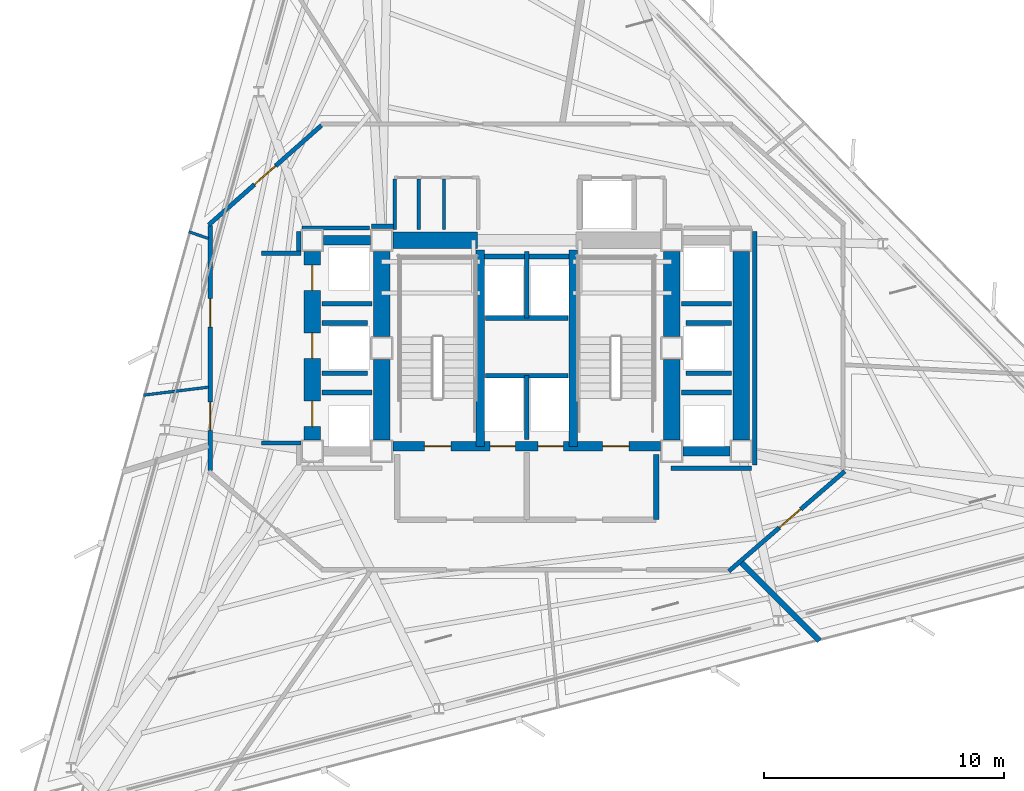
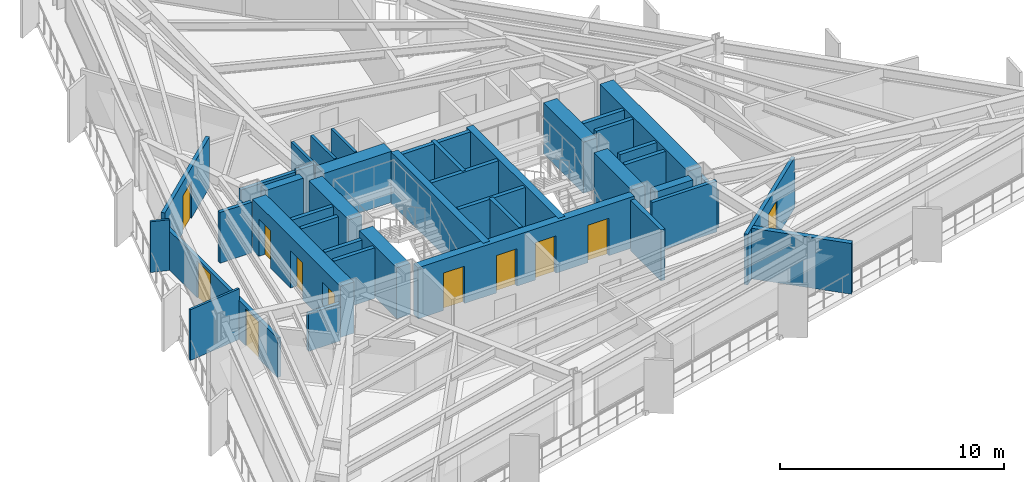
# One storey, part 7 of 11: 42 walls, 11 doors, 11 openings.
"""IFC4 building model written with IfcOpenShell, lengths in metres."""

from ifc_helpers import new_model, si_unit, direction, frame, frame_2d, origin, place, context, subcontext, project, spatial, rectangle, extrude, material, layer, layer_set, type_object, element, fill, save


model = new_model("IFC4")

# Units and contexts
model_context = context("Model", 3, precision=1e-05, world=origin(), true_north=direction((0.0, 1.0)))
body_context = subcontext(model_context, "Body", "Model", "MODEL_VIEW")
ifc_project = project(units=[si_unit("LENGTHUNIT", "METRE"), si_unit("AREAUNIT", "SQUARE_METRE"), si_unit("VOLUMEUNIT", "CUBIC_METRE"), si_unit("PLANEANGLEUNIT", "RADIAN"), si_unit("MASSUNIT", "GRAM", prefix="KILO")], contexts=[model_context])

# Site, building, storey
site_placement = place(None, origin())
site = spatial("IfcSite", under=ifc_project, at=site_placement, CompositionType="ELEMENT")
building_placement = place(site_placement, origin())
building = spatial("IfcBuilding", under=site, at=building_placement, Name="Rocaltana Carrier Exchange", CompositionType="ELEMENT")
storey_placement = place(building_placement, frame((0.0, 0.0, 91.679931640625)))
storey = spatial("IfcBuildingStorey", under=building, at=storey_placement, Name="L28", CompositionType="ELEMENT", Elevation=91.679931640625)

# Walls
ifc_material_1 = material(Name="Concrete C50/60", Category="concrete")
ifc_layer_1 = layer(ifc_material_1, 0.35009765625)
ifc_layer_set_1 = layer_set([ifc_layer_1], Name="Concrete C50/60")
wall_type_1 = type_object("IfcWallType", Name="Core Internal Shear Wall 350", PredefinedType="SHEAR", material=ifc_layer_set_1)
for number, where, z_axis, x_axis, name in (
    (1, (-1.93994140625, -4.10009765625, 0.0), (0.0, 0.0, 1.0), (0.0, 1.0, 0.0), "L28 Core Shear Wall CW-STW"),
    (2, (1.93994140625, -4.10009765625, 0.0), (0.0, 0.0, 1.0), (0.0, 1.0, 0.0), "L28 Core Shear Wall CW-STE"),
):
    element("IfcWall", number, at=place(storey_placement, frame(where, z_axis=z_axis, x_axis=x_axis)), inside=storey, type_object=wall_type_1, Name=name, PredefinedType="SHEAR", context=body_context, shape_type="SweptSolid", body=[
        extrude(rectangle(XDim=8.2001953125, YDim=0.35009765625, at=frame_2d((4.10009765625, 0.0))), origin(), (0.0, 0.0, 1.0), 2.7880859375),
    ])

# Wall, openings, doors
ifc_material_2 = material(Name="Concrete C50/60", Category="concrete")
ifc_layer_2 = layer(ifc_material_2, 0.39990234375)
ifc_layer_set_2 = layer_set([ifc_layer_2], Name="Concrete C50/60")
wall_type_2 = type_object("IfcWallType", Name="Core Internal Shear Wall 400", PredefinedType="SHEAR", material=ifc_layer_set_2)
wall_1_placement = place(storey_placement, frame((-5.574951171875, -4.10009765625, 0.0), z_axis=(0.0, 0.0, 1.0), x_axis=(1.0, 0.0, 0.0)))
wall_1 = element("IfcWall", 3, at=wall_1_placement, inside=storey, type_object=wall_type_2, Name="L28 Core Shear Wall CW-S", PredefinedType="SHEAR", context=body_context, shape_type="SweptSolid", body=[
    extrude(rectangle(XDim=11.14990234375, YDim=0.39990234375, at=frame_2d((5.574951171875, 0.0))), origin(), (0.0, 0.0, 1.0), 2.7880859375),
])
opening_1_placement = place(wall_1_placement, frame((1.304931640625, 0.0, 0.0)))
opening_1 = element("IfcOpeningElement", 4, at=opening_1_placement, cuts=wall_1, Name="Opening D-ST110", PredefinedType="OPENING", context=body_context, shape_type="SweptSolid", body=[
    extrude(rectangle(XDim=1.10009765625, YDim=2.0400390625, at=frame_2d((0.550048828125, 1.02001953125))), frame((0.0, 0.2099609375, 0.0), z_axis=(0.0, -1.0, 0.0), x_axis=(1.0, 0.0, 0.0)), (0.0, 0.0, 1.0), 0.419921875),
])
opening_2_placement = place(wall_1_placement, frame((8.7451171875, 0.0, 0.0)))
opening_2 = element("IfcOpeningElement", 5, at=opening_2_placement, cuts=wall_1, Name="Opening D-ST110", PredefinedType="OPENING", context=body_context, shape_type="SweptSolid", body=[
    extrude(rectangle(XDim=1.10009765625, YDim=2.0400390625, at=frame_2d((0.550048828125, 1.02001953125))), frame((0.0, 0.2099609375, 0.0), z_axis=(0.0, -1.0, 0.0), x_axis=(1.0, 0.0, 0.0)), (0.0, 0.0, 1.0), 0.419921875),
])
opening_3_placement = place(wall_1_placement, frame((4.044921875, 0.0, 0.0)))
opening_3 = element("IfcOpeningElement", 6, at=opening_3_placement, cuts=wall_1, Name="Opening LD-110", PredefinedType="OPENING", context=body_context, shape_type="SweptSolid", body=[
    extrude(rectangle(XDim=1.06005859375, YDim=2.0400390625, at=frame_2d((0.530029296875, 1.02001953125))), frame((0.0, 0.2099609375, 0.0), z_axis=(0.0, -1.0, 0.0), x_axis=(1.0, 0.0, 0.0)), (0.0, 0.0, 1.0), 0.419921875),
])
opening_4_placement = place(wall_1_placement, frame((6.044921875, 0.0, 0.0)))
opening_4 = element("IfcOpeningElement", 7, at=opening_4_placement, cuts=wall_1, Name="Opening LD-110", PredefinedType="OPENING", context=body_context, shape_type="SweptSolid", body=[
    extrude(rectangle(XDim=1.06005859375, YDim=2.0400390625, at=frame_2d((0.530029296875, 1.02001953125))), frame((0.0, 0.2099609375, 0.0), z_axis=(0.0, -1.0, 0.0), x_axis=(1.0, 0.0, 0.0)), (0.0, 0.0, 1.0), 0.419921875),
])
ifc_material_3 = material(Name="Hollow Metal Fire Door Assembly", Category="steel")
door_type_1 = type_object("IfcDoorType", Name="Exit Stair Fire Door 1100x2040 FD90S", OperationType="NOTDEFINED", PredefinedType="DOOR", material=ifc_material_3)
door_1_placement = place(opening_1_placement, origin())
door_1 = element("IfcDoor", 8, at=door_1_placement, inside=storey, type_object=door_type_1, Name="L28 Exit Stair ST1 Fire Door", OperationType="SINGLE_SWING_RIGHT", OverallHeight=2.0400390625, OverallWidth=1.10009765625, PredefinedType="DOOR", context=body_context, shape_type="SweptSolid", body=[
    extrude(rectangle(XDim=1.10009765625, YDim=2.0400390625, at=frame_2d((0.550048828125, 1.02001953125))), frame((0.0, 0.02490234375, 0.0), z_axis=(0.0, -1.0, 0.0), x_axis=(1.0, 0.0, 0.0)), (0.0, 0.0, 1.0), 0.050048828125),
])
fill(opening_1, door_1)
door_2_placement = place(opening_2_placement, origin())
door_2 = element("IfcDoor", 9, at=door_2_placement, inside=storey, type_object=door_type_1, Name="L28 Exit Stair ST2 Fire Door", OperationType="SINGLE_SWING_LEFT", OverallHeight=2.0400390625, OverallWidth=1.10009765625, PredefinedType="DOOR", context=body_context, shape_type="SweptSolid", body=[
    extrude(rectangle(XDim=1.10009765625, YDim=2.0400390625, at=frame_2d((0.550048828125, 1.02001953125))), frame((0.0, 0.02490234375, 0.0), z_axis=(0.0, -1.0, 0.0), x_axis=(1.0, 0.0, 0.0)), (0.0, 0.0, 1.0), 0.050048828125),
])
fill(opening_2, door_2)
ifc_material_4 = material(Name="Brushed Stainless Sliding Door Leaf", Category="steel")
door_type_2 = type_object("IfcDoorType", Name="Lift Landing Sliding Door 1060x2040", OperationType="NOTDEFINED", PredefinedType="DOOR", material=ifc_material_4)
door_3_placement = place(opening_3_placement, origin())
door_3 = element("IfcDoor", 10, at=door_3_placement, inside=storey, type_object=door_type_2, Name="L28 Firefighting Lift FFL1 Landing Door", OperationType="SLIDING_TO_LEFT", OverallHeight=2.0400390625, OverallWidth=1.06005859375, PredefinedType="DOOR", context=body_context, shape_type="SweptSolid", body=[
    extrude(rectangle(XDim=1.06005859375, YDim=2.0400390625, at=frame_2d((0.530029296875, 1.02001953125))), frame((0.0, 0.02490234375, 0.0), z_axis=(0.0, -1.0, 0.0), x_axis=(1.0, 0.0, 0.0)), (0.0, 0.0, 1.0), 0.050048828125),
])
fill(opening_3, door_3)
door_4_placement = place(opening_4_placement, origin())
door_4 = element("IfcDoor", 11, at=door_4_placement, inside=storey, type_object=door_type_2, Name="L28 Firefighting Lift FFL2 Landing Door", OperationType="SLIDING_TO_RIGHT", OverallHeight=2.0400390625, OverallWidth=1.06005859375, PredefinedType="DOOR", context=body_context, shape_type="SweptSolid", body=[
    extrude(rectangle(XDim=1.06005859375, YDim=2.0400390625, at=frame_2d((0.530029296875, 1.02001953125))), frame((0.0, 0.02490234375, 0.0), z_axis=(0.0, -1.0, 0.0), x_axis=(1.0, 0.0, 0.0)), (0.0, 0.0, 1.0), 0.050048828125),
])
fill(opening_4, door_4)

# Walls
for number, where, z_axis, x_axis, name in (
    (12, (-8.47509765625, 4.5, 0.0), (0.0, 0.0, 1.0), (1.0, 0.0, 0.0), "L28 Core Shear Wall CW-WWN"),
    (13, (6.52490234375, -4.300048828125, 0.0), (0.0, 0.0, 1.0), (1.0, 0.0, 0.0), "L28 Core Shear Wall CW-EWS"),
):
    element("IfcWall", number, at=place(storey_placement, frame(where, z_axis=z_axis, x_axis=x_axis)), inside=storey, type_object=wall_type_2, Name=name, PredefinedType="SHEAR", context=body_context, shape_type="SweptSolid", body=[
        extrude(rectangle(XDim=1.9501953125, YDim=0.39990234375, at=frame_2d((0.97509765625, 0.0))), origin(), (0.0, 0.0, 1.0), 2.7880859375),
    ])
ifc_material_5 = material(Name="Concrete C60/75", Category="concrete")
ifc_layer_3 = layer(ifc_material_5, 0.699951171875)
ifc_layer_set_3 = layer_set([ifc_layer_3], Name="Concrete C60/75")
wall_type_3 = type_object("IfcWallType", Name="Core Shear Wall 700", PredefinedType="SHEAR", material=ifc_layer_set_3)
wall_2_placement = place(storey_placement, frame((-6.050048828125, 0.47509765625, 0.0), z_axis=(0.0, 0.0, 1.0), x_axis=(0.0, 1.0, 0.0)))
element("IfcWall", 14, at=wall_2_placement, inside=storey, type_object=wall_type_3, Name="L28 Core Shear Wall CW-WN", PredefinedType="SHEAR", context=body_context, shape_type="SweptSolid", body=[
    extrude(rectangle(XDim=3.5498046875, YDim=0.699951171875, at=frame_2d((1.77490234375, 0.0))), origin(), (0.0, 0.0, 1.0), 2.7880859375),
])
wall_3_placement = place(storey_placement, frame((-6.050048828125, -3.824951171875, 0.0), z_axis=(0.0, 0.0, 1.0), x_axis=(0.0, 1.0, 0.0)))
element("IfcWall", 15, at=wall_3_placement, inside=storey, type_object=wall_type_3, Name="L28 Core Shear Wall CW-WS", PredefinedType="SHEAR", context=body_context, shape_type="SweptSolid", body=[
    extrude(rectangle(XDim=3.349853515625, YDim=0.699951171875, at=frame_2d((1.6748046875, 0.0))), origin(), (0.0, 0.0, 1.0), 2.7880859375),
])
wall_4_placement = place(storey_placement, frame((6.050048828125, 0.47509765625, 0.0), z_axis=(0.0, 0.0, 1.0), x_axis=(0.0, 1.0, 0.0)))
element("IfcWall", 16, at=wall_4_placement, inside=storey, type_object=wall_type_3, Name="L28 Core Shear Wall CW-EN", PredefinedType="SHEAR", context=body_context, shape_type="SweptSolid", body=[
    extrude(rectangle(XDim=3.5498046875, YDim=0.699951171875, at=frame_2d((1.77490234375, 0.0))), origin(), (0.0, 0.0, 1.0), 2.7880859375),
])
wall_5_placement = place(storey_placement, frame((6.050048828125, -3.824951171875, 0.0), z_axis=(0.0, 0.0, 1.0), x_axis=(0.0, 1.0, 0.0)))
element("IfcWall", 17, at=wall_5_placement, inside=storey, type_object=wall_type_3, Name="L28 Core Shear Wall CW-ES", PredefinedType="SHEAR", context=body_context, shape_type="SweptSolid", body=[
    extrude(rectangle(XDim=3.349853515625, YDim=0.699951171875, at=frame_2d((1.6748046875, 0.0))), origin(), (0.0, 0.0, 1.0), 2.7880859375),
])
wall_6_placement = place(storey_placement, frame((-5.574951171875, 4.5, 0.0), z_axis=(0.0, 0.0, 1.0), x_axis=(1.0, 0.0, 0.0)))
element("IfcWall", 18, at=wall_6_placement, inside=storey, type_object=wall_type_3, Name="L28 Core Shear Wall CW-N1", PredefinedType="SHEAR", context=body_context, shape_type="SweptSolid", body=[
    extrude(rectangle(XDim=3.52490234375, YDim=0.699951171875, at=frame_2d((1.762451171875, 0.0))), origin(), (0.0, 0.0, 1.0), 2.7880859375),
])

# Wall, openings, doors
wall_7_placement = place(storey_placement, frame((-8.949951171875, -3.824951171875, 0.0), z_axis=(0.0, 0.0, 1.0), x_axis=(0.0, 1.0, 0.0)))
wall_7 = element("IfcWall", 19, at=wall_7_placement, inside=storey, type_object=wall_type_3, Name="L28 Core Shear Wall CW-WW", PredefinedType="SHEAR", context=body_context, shape_type="SweptSolid", body=[
    extrude(rectangle(XDim=7.849853515625, YDim=0.699951171875, at=frame_2d((3.9248046875, 0.0))), origin(), (0.0, 0.0, 1.0), 2.7880859375),
])
opening_5_placement = place(wall_7_placement, frame((0.550048828125, 0.0, 0.0)))
opening_5 = element("IfcOpeningElement", 20, at=opening_5_placement, cuts=wall_7, Name="Opening LD-110", PredefinedType="OPENING", context=body_context, shape_type="SweptSolid", body=[
    extrude(rectangle(XDim=1.06005859375, YDim=2.0400390625, at=frame_2d((0.530029296875, 1.02001953125))), frame((0.0, 0.35986328125, 0.0), z_axis=(0.0, -1.0, 0.0), x_axis=(1.0, 0.0, 0.0)), (0.0, 0.0, 1.0), 0.719970703125),
])
opening_6_placement = place(wall_7_placement, frame((3.39501953125, 0.0, 0.0)))
opening_6 = element("IfcOpeningElement", 21, at=opening_6_placement, cuts=wall_7, Name="Opening LD-110", PredefinedType="OPENING", context=body_context, shape_type="SweptSolid", body=[
    extrude(rectangle(XDim=1.06005859375, YDim=2.0400390625, at=frame_2d((0.530029296875, 1.02001953125))), frame((0.0, 0.35986328125, 0.0), z_axis=(0.0, -1.0, 0.0), x_axis=(1.0, 0.0, 0.0)), (0.0, 0.0, 1.0), 0.719970703125),
])
opening_7_placement = place(wall_7_placement, frame((6.22998046875, 0.0, 0.0)))
opening_7 = element("IfcOpeningElement", 22, at=opening_7_placement, cuts=wall_7, Name="Opening LD-110", PredefinedType="OPENING", context=body_context, shape_type="SweptSolid", body=[
    extrude(rectangle(XDim=1.06005859375, YDim=2.0400390625, at=frame_2d((0.530029296875, 1.02001953125))), frame((0.0, 0.35986328125, 0.0), z_axis=(0.0, -1.0, 0.0), x_axis=(1.0, 0.0, 0.0)), (0.0, 0.0, 1.0), 0.719970703125),
])
door_5_placement = place(opening_5_placement, origin())
door_5 = element("IfcDoor", 23, at=door_5_placement, inside=storey, type_object=door_type_2, Name="L28 Low-Rise Lift PL-L1 Landing Door", OperationType="SLIDING_TO_LEFT", OverallHeight=2.0400390625, OverallWidth=1.06005859375, PredefinedType="DOOR", context=body_context, shape_type="SweptSolid", body=[
    extrude(rectangle(XDim=1.06005859375, YDim=2.0400390625, at=frame_2d((0.530029296875, 1.02001953125))), frame((0.0, 0.02490234375, 0.0), z_axis=(0.0, -1.0, 0.0), x_axis=(1.0, 0.0, 0.0)), (0.0, 0.0, 1.0), 0.050048828125),
])
fill(opening_5, door_5)
door_6_placement = place(opening_6_placement, origin())
door_6 = element("IfcDoor", 24, at=door_6_placement, inside=storey, type_object=door_type_2, Name="L28 Low-Rise Lift PL-L2 Landing Door", OperationType="SLIDING_TO_RIGHT", OverallHeight=2.0400390625, OverallWidth=1.06005859375, PredefinedType="DOOR", context=body_context, shape_type="SweptSolid", body=[
    extrude(rectangle(XDim=1.06005859375, YDim=2.0400390625, at=frame_2d((0.530029296875, 1.02001953125))), frame((0.0, 0.02490234375, 0.0), z_axis=(0.0, -1.0, 0.0), x_axis=(1.0, 0.0, 0.0)), (0.0, 0.0, 1.0), 0.050048828125),
])
fill(opening_6, door_6)
door_7_placement = place(opening_7_placement, origin())
door_7 = element("IfcDoor", 25, at=door_7_placement, inside=storey, type_object=door_type_2, Name="L28 Low-Rise Lift PL-L3 Landing Door", OperationType="SLIDING_TO_LEFT", OverallHeight=2.0400390625, OverallWidth=1.06005859375, PredefinedType="DOOR", context=body_context, shape_type="SweptSolid", body=[
    extrude(rectangle(XDim=1.06005859375, YDim=2.0400390625, at=frame_2d((0.530029296875, 1.02001953125))), frame((0.0, 0.02490234375, 0.0), z_axis=(0.0, -1.0, 0.0), x_axis=(1.0, 0.0, 0.0)), (0.0, 0.0, 1.0), 0.050048828125),
])
fill(opening_7, door_7)

# Wall
wall_8_placement = place(storey_placement, frame((8.949951171875, -3.824951171875, 0.0), z_axis=(0.0, 0.0, 1.0), x_axis=(0.0, 1.0, 0.0)))
element("IfcWall", 26, at=wall_8_placement, inside=storey, type_object=wall_type_3, Name="L28 Core Shear Wall CW-EW", PredefinedType="SHEAR", context=body_context, shape_type="SweptSolid", body=[
    extrude(rectangle(XDim=7.849853515625, YDim=0.699951171875, at=frame_2d((3.9248046875, 0.0))), origin(), (0.0, 0.0, 1.0), 2.7880859375),
])

# Wall, opening, door
ifc_material_6 = material(Name="Gypsum & Steel Stud Partition", Category="steel")
ifc_layer_4 = layer(ifc_material_6, 0.179931640625)
ifc_layer_set_4 = layer_set([ifc_layer_4], Name="Gypsum & Steel Stud Partition")
wall_type_4 = type_object("IfcWallType", Name="Corridor Fire Partition 180 EI60", PredefinedType="PARTITIONING", material=ifc_layer_set_4)
wall_9_placement = place(storey_placement, frame((13.268310546875, -5.14111328125, 0.0), z_axis=(0.0, 0.0, 1.0), x_axis=(-0.757534501725, -0.65279512766, 0.0)))
wall_9 = element("IfcWall", 27, at=wall_9_placement, inside=storey, type_object=wall_type_4, Name="L28 Corridor Partition 4", PredefinedType="PARTITIONING", context=body_context, shape_type="SweptSolid", body=[
    extrude(rectangle(XDim=6.384521484375, YDim=0.179931640625, at=frame_2d((3.1923828125, 0.0))), origin(), (0.0, 0.0, 1.0), 2.76318359375),
])
opening_8_placement = place(wall_9_placement, frame((2.41845703125, 0.0, 0.0)))
opening_8 = element("IfcOpeningElement", 28, at=opening_8_placement, cuts=wall_9, Name="Opening D-SU120", PredefinedType="OPENING", context=body_context, shape_type="SweptSolid", body=[
    extrude(rectangle(XDim=1.179931640625, YDim=2.02001953125, at=frame_2d((0.58984375, 1.010009765625))), frame((0.0, 0.099853515625, 0.0), z_axis=(0.0, -1.0, 0.0), x_axis=(1.0, 0.0, 0.0)), (0.0, 0.0, 1.0), 0.199951171875),
])
ifc_material_7 = material(Name="Engineered Hardwood Timber", Category="wood")
door_type_3 = type_object("IfcDoorType", Name="Suite Double Entrance Door 1180x2020", OperationType="NOTDEFINED", PredefinedType="DOOR", material=ifc_material_7)
door_8_placement = place(opening_8_placement, origin())
door_8 = element("IfcDoor", 29, at=door_8_placement, inside=storey, type_object=door_type_3, Name="L28 Carrier Peering Suite Entrance Door", OperationType="SINGLE_SWING_RIGHT", OverallHeight=2.02001953125, OverallWidth=1.179931640625, PredefinedType="DOOR", context=body_context, shape_type="SweptSolid", body=[
    extrude(rectangle(XDim=1.179931640625, YDim=2.02001953125, at=frame_2d((0.58984375, 1.010009765625))), frame((0.0, 0.02490234375, 0.0), z_axis=(0.0, -1.0, 0.0), x_axis=(1.0, 0.0, 0.0)), (0.0, 0.0, 1.0), 0.050048828125),
])
fill(opening_8, door_8)

# Wall, openings, doors
wall_10_placement = place(storey_placement, frame((-13.199951171875, -5.110107421875, 0.0), z_axis=(0.0, 0.0, 1.0), x_axis=(0.0, 1.0, 0.0)))
wall_10 = element("IfcWall", 30, at=wall_10_placement, inside=storey, type_object=wall_type_4, Name="L28 Corridor Partition 7", PredefinedType="PARTITIONING", context=body_context, shape_type="SweptSolid", body=[
    extrude(rectangle(XDim=10.22021484375, YDim=0.179931640625, at=frame_2d((5.110107421875, 0.0))), origin(), (0.0, 0.0, 1.0), 2.14306640625),
])
opening_9_placement = place(wall_10_placement, frame((1.675537109375, 0.0, 0.0)))
opening_9 = element("IfcOpeningElement", 31, at=opening_9_placement, cuts=wall_10, Name="Opening D-SU120", PredefinedType="OPENING", context=body_context, shape_type="SweptSolid", body=[
    extrude(rectangle(XDim=1.179931640625, YDim=2.02001953125, at=frame_2d((0.58984375, 1.010009765625))), frame((0.0, 0.099853515625, 0.0), z_axis=(0.0, -1.0, 0.0), x_axis=(1.0, 0.0, 0.0)), (0.0, 0.0, 1.0), 0.199951171875),
])
opening_10_placement = place(wall_10_placement, frame((5.989990234375, 0.0, 0.0)))
opening_10 = element("IfcOpeningElement", 32, at=opening_10_placement, cuts=wall_10, Name="Opening D-SU120", PredefinedType="OPENING", context=body_context, shape_type="SweptSolid", body=[
    extrude(rectangle(XDim=1.179931640625, YDim=2.02001953125, at=frame_2d((0.58984375, 1.010009765625))), frame((0.0, 0.099853515625, 0.0), z_axis=(0.0, -1.0, 0.0), x_axis=(1.0, 0.0, 0.0)), (0.0, 0.0, 1.0), 0.199951171875),
])
door_9_placement = place(opening_9_placement, origin())
door_9 = element("IfcDoor", 33, at=door_9_placement, inside=storey, type_object=door_type_3, Name="L28 Carrier Peering Suite Entrance Door", OperationType="SINGLE_SWING_RIGHT", OverallHeight=2.02001953125, OverallWidth=1.179931640625, PredefinedType="DOOR", context=body_context, shape_type="SweptSolid", body=[
    extrude(rectangle(XDim=1.179931640625, YDim=2.02001953125, at=frame_2d((0.58984375, 1.010009765625))), frame((0.0, 0.02490234375, 0.0), z_axis=(0.0, -1.0, 0.0), x_axis=(1.0, 0.0, 0.0)), (0.0, 0.0, 1.0), 0.050048828125),
])
fill(opening_9, door_9)
door_10_placement = place(opening_10_placement, origin())
door_10 = element("IfcDoor", 34, at=door_10_placement, inside=storey, type_object=door_type_3, Name="L28 Carrier Peering Suite Entrance Door", OperationType="SINGLE_SWING_LEFT", OverallHeight=2.02001953125, OverallWidth=1.179931640625, PredefinedType="DOOR", context=body_context, shape_type="SweptSolid", body=[
    extrude(rectangle(XDim=1.179931640625, YDim=2.02001953125, at=frame_2d((0.58984375, 1.010009765625))), frame((0.0, 0.02490234375, 0.0), z_axis=(0.0, -1.0, 0.0), x_axis=(1.0, 0.0, 0.0)), (0.0, 0.0, 1.0), 0.050048828125),
])
fill(opening_10, door_10)

# Wall, opening, door
wall_11_placement = place(storey_placement, frame((-13.267578125, 5.140380859375, 0.0), z_axis=(0.0, 0.0, 1.0), x_axis=(0.749626463267, 0.66186113768, 0.0)))
wall_11 = element("IfcWall", 35, at=wall_11_placement, inside=storey, type_object=wall_type_4, Name="L28 Corridor Partition 8", PredefinedType="PARTITIONING", context=body_context, shape_type="SweptSolid", body=[
    extrude(rectangle(XDim=6.27001953125, YDim=0.179931640625, at=frame_2d((3.135009765625, 0.0))), origin(), (0.0, 0.0, 1.0), 2.76318359375),
])
opening_11_placement = place(wall_11_placement, frame((2.544921875, 0.0, 0.0)))
opening_11 = element("IfcOpeningElement", 36, at=opening_11_placement, cuts=wall_11, Name="Opening D-SU120", PredefinedType="OPENING", context=body_context, shape_type="SweptSolid", body=[
    extrude(rectangle(XDim=1.179931640625, YDim=2.02001953125, at=frame_2d((0.58984375, 1.010009765625))), frame((0.0, 0.099853515625, 0.0), z_axis=(0.0, -1.0, 0.0), x_axis=(1.0, 0.0, 0.0)), (0.0, 0.0, 1.0), 0.199951171875),
])
door_11_placement = place(opening_11_placement, origin())
door_11 = element("IfcDoor", 37, at=door_11_placement, inside=storey, type_object=door_type_3, Name="L28 Carrier Peering Suite Entrance Door", OperationType="SINGLE_SWING_RIGHT", OverallHeight=2.02001953125, OverallWidth=1.179931640625, PredefinedType="DOOR", context=body_context, shape_type="SweptSolid", body=[
    extrude(rectangle(XDim=1.179931640625, YDim=2.02001953125, at=frame_2d((0.58984375, 1.010009765625))), frame((0.0, 0.02490234375, 0.0), z_axis=(0.0, -1.0, 0.0), x_axis=(1.0, 0.0, 0.0)), (0.0, 0.0, 1.0), 0.050048828125),
])
fill(opening_11, door_11)

# Walls
wall_12_placement = place(storey_placement, frame((-9.510009765625, 4.8701171875, 0.0), z_axis=(0.0, 0.0, 1.0), x_axis=(0.0, -1.0, 0.0)))
element("IfcWall", 38, at=wall_12_placement, inside=storey, type_object=wall_type_4, Name="L28 Corridor Partition 9", PredefinedType="PARTITIONING", context=body_context, shape_type="SweptSolid", body=[
    extrude(rectangle(XDim=0.820068359375, YDim=0.179931640625, at=frame_2d((0.41015625, 0.0))), origin(), (0.0, 0.0, 1.0), 2.277099609375),
])
wall_13_placement = place(storey_placement, frame((-9.419921875, 3.9599609375, 0.0), z_axis=(0.0, 0.0, 1.0), x_axis=(-1.0, 0.0, 0.0)))
element("IfcWall", 39, at=wall_13_placement, inside=storey, type_object=wall_type_4, Name="L28 Corridor Partition 10", PredefinedType="PARTITIONING", context=body_context, shape_type="SweptSolid", body=[
    extrude(rectangle(XDim=1.650146484375, YDim=0.179931640625, at=frame_2d((0.8251953125, 0.0))), origin(), (0.0, 0.0, 1.0), 2.76318359375),
])
wall_14_placement = place(storey_placement, frame((-11.070068359375, -3.9599609375, 0.0), z_axis=(0.0, 0.0, 1.0), x_axis=(1.0, 0.0, 0.0)))
element("IfcWall", 40, at=wall_14_placement, inside=storey, type_object=wall_type_4, Name="L28 Corridor Partition 11", PredefinedType="PARTITIONING", context=body_context, shape_type="SweptSolid", body=[
    extrude(rectangle(XDim=1.650146484375, YDim=0.179931640625, at=frame_2d((0.8251953125, 0.0))), origin(), (0.0, 0.0, 1.0), 2.048095703125),
])
wall_15_placement = place(storey_placement, frame((6.030029296875, -5.010009765625, 0.0), z_axis=(0.0, 0.0, 1.0), x_axis=(1.0, 0.0, 0.0)))
element("IfcWall", 41, at=wall_15_placement, inside=storey, type_object=wall_type_4, Name="L28 Corridor Partition 16", PredefinedType="PARTITIONING", context=body_context, shape_type="SweptSolid", body=[
    extrude(rectangle(XDim=3.340087890625, YDim=0.179931640625, at=frame_2d((1.669921875, 0.0))), origin(), (0.0, 0.0, 1.0), 2.76318359375),
])
wall_16_placement = place(storey_placement, frame((9.510009765625, -4.8701171875, 0.0), z_axis=(0.0, 0.0, 1.0), x_axis=(0.0, 1.0, 0.0)))
element("IfcWall", 42, at=wall_16_placement, inside=storey, type_object=wall_type_4, Name="L28 Corridor Partition 17", PredefinedType="PARTITIONING", context=body_context, shape_type="SweptSolid", body=[
    extrude(rectangle(XDim=9.740234375, YDim=0.179931640625, at=frame_2d((4.8701171875, 0.0))), origin(), (0.0, 0.0, 1.0), 2.048095703125),
])
wall_17_placement = place(storey_placement, frame((-5.550048828125, 5.080078125, 0.0), z_axis=(0.0, 0.0, 1.0), x_axis=(-1.0, 0.0, 0.0)))
element("IfcWall", 43, at=wall_17_placement, inside=storey, type_object=wall_type_4, Name="L28 Corridor Partition 22", PredefinedType="PARTITIONING", context=body_context, shape_type="SweptSolid", body=[
    extrude(rectangle(XDim=0.919921875, YDim=0.179931640625, at=frame_2d((0.4599609375, 0.0))), origin(), (0.0, 0.0, 1.0), 2.76318359375),
])
wall_18_placement = place(storey_placement, frame((-6.562255859375, 5.010009765625, 0.0), z_axis=(0.0, 0.0, 1.0), x_axis=(-1.0, 0.0, 0.0)))
element("IfcWall", 44, at=wall_18_placement, inside=storey, type_object=wall_type_4, Name="L28 Corridor Partition 23", PredefinedType="PARTITIONING", context=body_context, shape_type="SweptSolid", body=[
    extrude(rectangle(XDim=2.807861328125, YDim=0.179931640625, at=frame_2d((1.40380859375, 0.0))), origin(), (0.0, 0.0, 1.0), 2.76318359375),
])
ifc_material_8 = material(Name="Aluminium 6063-T6 & Acoustic Glass", Category="aluminium")
ifc_layer_5 = layer(ifc_material_8, 0.114990234375)
ifc_layer_set_5 = layer_set([ifc_layer_5], Name="Aluminium 6063-T6 & Acoustic Glass")
wall_type_5 = type_object("IfcWallType", Name="Demountable Glazed Lab Partition 115", PredefinedType="MOVABLE", material=ifc_layer_set_5)
wall_19_placement = place(storey_placement, frame((-13.280029296875, -1.630615234375, 0.0), z_axis=(0.0, 0.0, 1.0), x_axis=(-0.992544972431, -0.121878946921, 0.0)))
element("IfcWall", 45, at=wall_19_placement, inside=storey, type_object=wall_type_5, Name="L28 Suite Divider Wall D1", PredefinedType="MOVABLE", context=body_context, shape_type="SweptSolid", body=[
    extrude(rectangle(XDim=2.732177734375, YDim=0.114990234375, at=frame_2d((1.3662109375, 0.0))), origin(), (0.0, 0.0, 1.0), 2.76318359375),
])
wall_20_placement = place(storey_placement, frame((-13.280029296875, 4.57275390625, 0.0), z_axis=(0.0, 0.0, 1.0), x_axis=(-0.945516304874, 0.325574749047, 0.0)))
element("IfcWall", 46, at=wall_20_placement, inside=storey, type_object=wall_type_5, Name="L28 Suite Divider Wall D10", PredefinedType="MOVABLE", context=body_context, shape_type="SweptSolid", body=[
    extrude(rectangle(XDim=0.868408203125, YDim=0.114990234375, at=frame_2d((0.43408203125, 0.0))), origin(), (0.0, 0.0, 1.0), 2.76318359375),
])
ifc_material_9 = material(Name="Autoclaved Aerated Concrete C30/37", Category="concrete")
ifc_layer_6 = layer(ifc_material_9, 0.219970703125)
ifc_layer_set_6 = layer_set([ifc_layer_6], Name="Autoclaved Aerated Concrete C30/37")
wall_type_6 = type_object("IfcWallType", Name="Firefighting Lobby Wall 220 EI120", PredefinedType="PARTITIONING", material=ifc_layer_set_6)
wall_21_placement = place(storey_placement, frame((5.39990234375, -7.159912109375, 0.0), z_axis=(0.0, 0.0, 1.0), x_axis=(0.0, 1.0, 0.0)))
element("IfcWall", 47, at=wall_21_placement, inside=storey, type_object=wall_type_6, Name="L28 FFL Lobby 2 East Wall", PredefinedType="PARTITIONING", context=body_context, shape_type="SweptSolid", body=[
    extrude(rectangle(XDim=2.7099609375, YDim=0.219970703125, at=frame_2d((1.35498046875, 0.0))), origin(), (0.0, 0.0, 1.0), 2.76318359375),
])
ifc_material_10 = material(Name="Acoustic Calcium Silicate Partition", Category="gypsum")
ifc_layer_7 = layer(ifc_material_10, 0.239990234375)
ifc_layer_set_7 = layer_set([ifc_layer_7], Name="Acoustic Calcium Silicate Partition")
wall_type_7 = type_object("IfcWallType", Name="Heavy Lab Partition 240 EI90", PredefinedType="PARTITIONING", material=ifc_layer_set_7)
wall_22_placement = place(storey_placement, frame((8.959716796875, -8.959716796875, 0.0), z_axis=(0.0, 0.0, 1.0), x_axis=(0.707106781187, -0.707106781187, 0.0)))
element("IfcWall", 48, at=wall_22_placement, inside=storey, type_object=wall_type_7, Name="L28 Suite Divider Wall D5", PredefinedType="PARTITIONING", context=body_context, shape_type="SweptSolid", body=[
    extrude(rectangle(XDim=4.605224609375, YDim=0.239990234375, at=frame_2d((2.302734375, 0.0))), origin(), (0.0, 0.0, 1.0), 2.76318359375),
])
ifc_material_11 = material(Name="Reinforced Concrete Block C35/45", Category="concrete")
ifc_layer_8 = layer(ifc_material_11, 0.199951171875)
ifc_layer_set_8 = layer_set([ifc_layer_8], Name="Reinforced Concrete Block C35/45")
wall_type_8 = type_object("IfcWallType", Name="Lift Hoistway Enclosure Wall 200 EI120", PredefinedType="PARTITIONING", material=ifc_layer_set_8)
wall_23_placement = place(storey_placement, frame((0.0, -3.820068359375, 0.0), z_axis=(0.0, 0.0, 1.0), x_axis=(0.0, 1.0, 0.0)))
element("IfcWall", 49, at=wall_23_placement, inside=storey, type_object=wall_type_8, Name="L28 FFL Shaft Divider", PredefinedType="PARTITIONING", context=body_context, shape_type="SweptSolid", body=[
    extrude(rectangle(XDim=2.670166015625, YDim=0.199951171875, at=frame_2d((1.3349609375, 0.0))), origin(), (0.0, 0.0, 1.0), 2.76318359375),
])
wall_24_placement = place(storey_placement, frame((-1.719970703125, -1.14990234375, 0.0), z_axis=(0.0, 0.0, 1.0), x_axis=(1.0, 0.0, 0.0)))
element("IfcWall", 50, at=wall_24_placement, inside=storey, type_object=wall_type_8, Name="L28 FFL Shaft Back Wall", PredefinedType="PARTITIONING", context=body_context, shape_type="SweptSolid", body=[
    extrude(rectangle(XDim=3.43994140625, YDim=0.199951171875, at=frame_2d((1.719970703125, 0.0))), origin(), (0.0, 0.0, 1.0), 2.76318359375),
])
wall_25_placement = place(storey_placement, frame((0.0, 1.25, 0.0), z_axis=(0.0, 0.0, 1.0), x_axis=(0.0, 1.0, 0.0)))
element("IfcWall", 51, at=wall_25_placement, inside=storey, type_object=wall_type_8, Name="L28 High-Rise Shaft Divider", PredefinedType="PARTITIONING", context=body_context, shape_type="SweptSolid", body=[
    extrude(rectangle(XDim=2.77001953125, YDim=0.199951171875, at=frame_2d((1.385009765625, 0.0))), origin(), (0.0, 0.0, 1.0), 2.76318359375),
])
wall_26_placement = place(storey_placement, frame((-1.719970703125, 1.25, 0.0), z_axis=(0.0, 0.0, 1.0), x_axis=(1.0, 0.0, 0.0)))
element("IfcWall", 52, at=wall_26_placement, inside=storey, type_object=wall_type_8, Name="L28 High-Rise Shaft Back Wall", PredefinedType="PARTITIONING", context=body_context, shape_type="SweptSolid", body=[
    extrude(rectangle(XDim=3.43994140625, YDim=0.199951171875, at=frame_2d((1.719970703125, 0.0))), origin(), (0.0, 0.0, 1.0), 2.76318359375),
])
wall_27_placement = place(storey_placement, frame((-1.760009765625, 3.820068359375, 0.0), z_axis=(0.0, 0.0, 1.0), x_axis=(1.0, 0.0, 0.0)))
element("IfcWall", 53, at=wall_27_placement, inside=storey, type_object=wall_type_8, Name="L28 High-Rise Lift Front Wall", PredefinedType="PARTITIONING", context=body_context, shape_type="SweptSolid", body=[
    extrude(rectangle(XDim=3.52001953125, YDim=0.199951171875, at=frame_2d((1.760009765625, 0.0))), origin(), (0.0, 0.0, 1.0), 2.76318359375),
])
for number, where, z_axis, x_axis, name in (
    (54, (-8.550048828125, -1.85009765625, 0.0), (0.0, 0.0, 1.0), (1.0, 0.0, 0.0), "L28 Low-Rise Shaft Divider 1"),
    (55, (-8.550048828125, 1.85009765625, 0.0), (0.0, 0.0, 1.0), (1.0, 0.0, 0.0), "L28 Low-Rise Shaft Divider 2"),
):
    element("IfcWall", number, at=place(storey_placement, frame(where, z_axis=z_axis, x_axis=x_axis)), inside=storey, type_object=wall_type_8, Name=name, PredefinedType="PARTITIONING", context=body_context, shape_type="SweptSolid", body=[
        extrude(rectangle(XDim=2.10009765625, YDim=0.199951171875, at=frame_2d((1.050048828125, 0.0))), origin(), (0.0, 0.0, 1.0), 2.76318359375),
    ])
for number, where, z_axis, x_axis, name in (
    (56, (-8.550048828125, -1.050048828125, 0.0), (0.0, 0.0, 1.0), (1.0, 0.0, 0.0), "L28 Low-Rise Center Shaft Wall South"),
    (57, (-8.550048828125, 1.050048828125, 0.0), (0.0, 0.0, 1.0), (1.0, 0.0, 0.0), "L28 Low-Rise Center Shaft Wall North"),
):
    element("IfcWall", number, at=place(storey_placement, frame(where, z_axis=z_axis, x_axis=x_axis)), inside=storey, type_object=wall_type_8, Name=name, PredefinedType="PARTITIONING", context=body_context, shape_type="SweptSolid", body=[
        extrude(rectangle(XDim=1.91015625, YDim=0.199951171875, at=frame_2d((0.955078125, 0.0))), origin(), (0.0, 0.0, 1.0), 2.76318359375),
    ])
for number, where, z_axis, x_axis, name in (
    (58, (6.449951171875, -1.85009765625, 0.0), (0.0, 0.0, 1.0), (1.0, 0.0, 0.0), "L28 Mid-Rise Shaft Divider 1"),
    (59, (6.449951171875, 1.85009765625, 0.0), (0.0, 0.0, 1.0), (1.0, 0.0, 0.0), "L28 Mid-Rise Shaft Divider 2"),
):
    element("IfcWall", number, at=place(storey_placement, frame(where, z_axis=z_axis, x_axis=x_axis)), inside=storey, type_object=wall_type_8, Name=name, PredefinedType="PARTITIONING", context=body_context, shape_type="SweptSolid", body=[
        extrude(rectangle(XDim=2.10009765625, YDim=0.199951171875, at=frame_2d((1.050048828125, 0.0))), origin(), (0.0, 0.0, 1.0), 2.76318359375),
    ])
for number, where, z_axis, x_axis, name in (
    (60, (6.639892578125, -1.050048828125, 0.0), (0.0, 0.0, 1.0), (1.0, 0.0, 0.0), "L28 Mid-Rise Center Shaft Wall South"),
    (61, (6.639892578125, 1.050048828125, 0.0), (0.0, 0.0, 1.0), (1.0, 0.0, 0.0), "L28 Mid-Rise Center Shaft Wall North"),
):
    element("IfcWall", number, at=place(storey_placement, frame(where, z_axis=z_axis, x_axis=x_axis)), inside=storey, type_object=wall_type_8, Name=name, PredefinedType="PARTITIONING", context=body_context, shape_type="SweptSolid", body=[
        extrude(rectangle(XDim=1.91015625, YDim=0.199951171875, at=frame_2d((0.955078125, 0.0))), origin(), (0.0, 0.0, 1.0), 2.76318359375),
    ])
ifc_material_12 = material(Name="Moisture-Resistant Masonry C30/37", Category="masonry")
ifc_layer_9 = layer(ifc_material_12, 0.139892578125)
ifc_layer_set_9 = layer_set([ifc_layer_9], Name="Moisture-Resistant Masonry C30/37")
wall_type_9 = type_object("IfcWallType", Name="Wet-Area Sanitary Partition 140", PredefinedType="PARTITIONING", material=ifc_layer_set_9)
for number, where, z_axis, x_axis, name in (
    (62, (-5.5, 4.949951171875, 0.0), (0.0, 0.0, 1.0), (0.0, 1.0, 0.0), "L28 Sanitary West Wall"),
    (63, (-4.5, 4.949951171875, 0.0), (0.0, 0.0, 1.0), (0.0, 1.0, 0.0), "L28 Sanitary Divider 1"),
    (64, (-3.449951171875, 4.949951171875, 0.0), (0.0, 0.0, 1.0), (0.0, 1.0, 0.0), "L28 Sanitary Divider 2"),
):
    element("IfcWall", number, at=place(storey_placement, frame(where, z_axis=z_axis, x_axis=x_axis)), inside=storey, type_object=wall_type_9, Name=name, PredefinedType="PARTITIONING", context=body_context, shape_type="SweptSolid", body=[
        extrude(rectangle(XDim=2.10009765625, YDim=0.139892578125, at=frame_2d((1.050048828125, 0.0))), origin(), (0.0, 0.0, 1.0), 2.76318359375),
    ])

save(model, "model.ifc")
